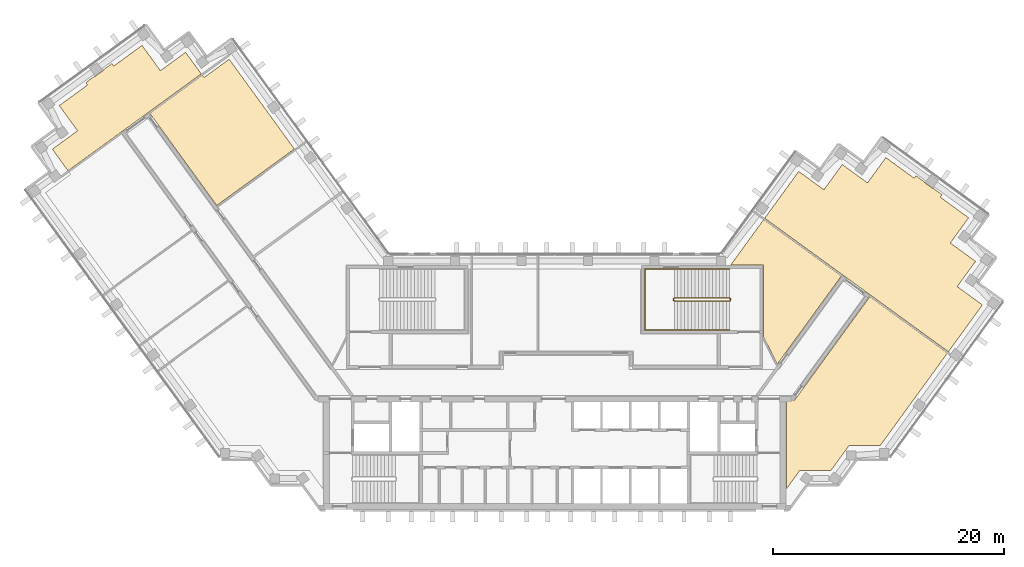
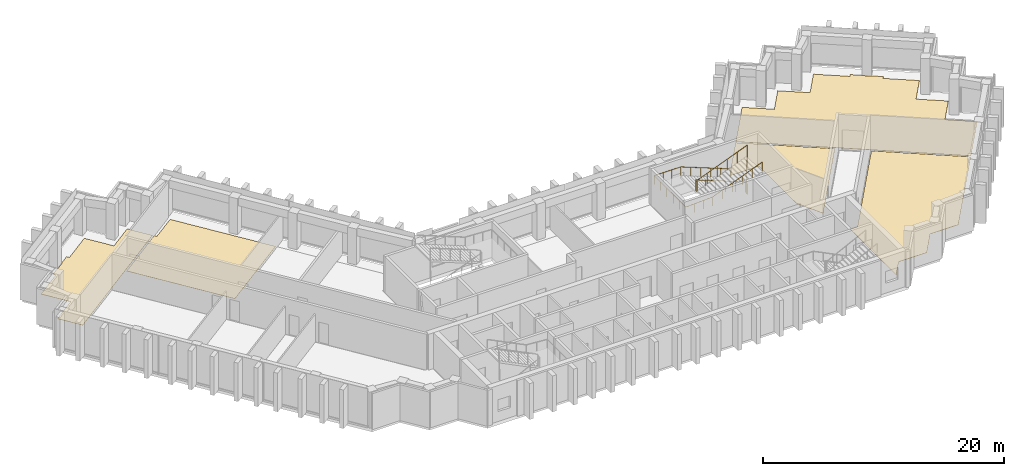
# One storey, part 9 of 9: 5 coverings, 2 railings.
"""IFC4 building model written with IfcOpenShell, lengths in metres."""

from ifc_helpers import new_model, si_unit, direction, frame, origin, origin_2d, place, context, subcontext, project, spatial, polyline, circle, outline, extrude, material, layer, layer_set, type_object, element, save


model = new_model("IFC4")

# Units and contexts
model_context = context("Model", 3, precision=1e-05, world=origin(), true_north=direction((0.0, 1.0)))
body_context = subcontext(model_context, "Body", "Model", "MODEL_VIEW")
ifc_project = project(units=[si_unit("LENGTHUNIT", "METRE"), si_unit("AREAUNIT", "SQUARE_METRE"), si_unit("VOLUMEUNIT", "CUBIC_METRE"), si_unit("PLANEANGLEUNIT", "RADIAN"), si_unit("MASSUNIT", "GRAM", prefix="KILO")], contexts=[model_context])

# Site, building, storey
site_placement = place(None, origin())
site = spatial("IfcSite", under=ifc_project, at=site_placement, CompositionType="ELEMENT")
building_placement = place(site_placement, origin())
building = spatial("IfcBuilding", under=site, at=building_placement, Name="Quipu Civic Tower", CompositionType="ELEMENT")
storey_placement = place(building_placement, frame((0.0, 0.0, 194.0)))
storey = spatial("IfcBuildingStorey", under=building, at=storey_placement, Name="L45", CompositionType="ELEMENT", Elevation=194.0)

# Coverings
ifc_material_1 = material(Name="Carpet tile on raised access floor")
ifc_layer = layer(ifc_material_1, 0.02001953125)
ifc_layer_set = layer_set([ifc_layer], Name="Carpet tile on raised access floor")
covering_type = type_object("IfcCoveringType", Name="Carpet tile floor finish 20", PredefinedType="FLOORING", material=ifc_layer_set)
covering_1_placement = place(storey_placement, origin())
element("IfcCovering", 1, at=covering_1_placement, inside=storey, type_object=covering_type, Name="Carpet tile floor finish 20", PredefinedType="FLOORING", context=body_context, shape_type="SweptSolid", body=[
    extrude(outline(polyline([(15.238037109375, 10.169921875), (18.089111328125, 14.093994140625), (24.81201171875, 9.2109375), (19.27197265625, 1.583984375), (18.070068359375, 3.94189453125), (18.070068359375, 10.1689453125), (15.238037109375, 10.169921875)])), origin(), (0.0, 0.0, 1.0), 0.02001953125),
])
covering_2_placement = place(storey_placement, origin())
element("IfcCovering", 2, at=covering_2_placement, inside=storey, type_object=covering_type, Name="Carpet tile floor finish 20", PredefinedType="FLOORING", context=body_context, shape_type="SweptSolid", body=[
    extrude(outline(polyline([(-35.0400390625, 23.2880859375), (-30.5009765625, 26.583984375), (-30.35302734375, 26.383056640625), (-28.169921875, 27.968994140625), (-22.52490234375, 20.197998046875), (-29.248046875, 15.31396484375), (-35.0400390625, 23.2880859375)])), origin(), (0.0, 0.0, 1.0), 0.02001953125),
])
covering_3_placement = place(storey_placement, origin())
element("IfcCovering", 3, at=covering_3_placement, inside=storey, type_object=covering_type, Name="Carpet tile floor finish 20", PredefinedType="FLOORING", context=body_context, shape_type="SweptSolid", body=[
    extrude(outline(polyline([(20.070068359375, -9.195068359375), (20.070068359375, -1.52001953125), (20.77490234375, -1.51904296875), (27.27197265625, 7.423095703125), (33.9951171875, 2.5390625), (28.181884765625, -5.4609375), (25.48193359375, -5.4619140625), (23.89501953125, -7.64599609375), (21.196044921875, -7.64599609375), (20.070068359375, -9.195068359375)])), origin(), (0.0, 0.0, 1.0), 0.02001953125),
])
covering_4_placement = place(storey_placement, origin())
element("IfcCovering", 4, at=covering_4_placement, inside=storey, type_object=covering_type, Name="Carpet tile floor finish 20", PredefinedType="FLOORING", context=body_context, shape_type="SweptSolid", body=[
    extrude(outline(polyline([(18.172119140625, 14.20703125), (21.116943359375, 18.260986328125), (23.301025390625, 16.675048828125), (24.887939453125, 18.85791015625), (27.073974609375, 17.27197265625), (28.658935546875, 19.455078125), (31.116943359375, 17.6708984375), (31.27099609375, 17.8798828125), (32.032958984375, 17.325927734375), (32.032958984375, 17.324951171875), (32.031005859375, 17.321044921875), (32.030029296875, 17.31591796875), (32.029052734375, 17.31103515625), (32.028076171875, 17.305908203125), (32.028076171875, 17.302001953125), (32.029052734375, 17.297119140625), (32.030029296875, 17.2919921875), (32.031005859375, 17.287109375), (32.032958984375, 17.282958984375), (32.035888671875, 17.278076171875), (32.0380859375, 17.27392578125), (32.041015625, 17.27099609375), (32.044921875, 17.26708984375), (32.049072265625, 17.263916015625), (32.696044921875, 16.7939453125), (32.699951171875, 16.791015625), (32.7041015625, 16.7890625), (32.708984375, 16.787109375), (32.714111328125, 16.785888671875), (32.718994140625, 16.784912109375), (32.722900390625, 16.783935546875), (32.72802734375, 16.783935546875), (32.73291015625, 16.784912109375), (32.738037109375, 16.785888671875), (32.742919921875, 16.787109375), (32.7470703125, 16.7890625), (32.751953125, 16.7919921875), (32.756103515625, 16.7939453125), (32.759033203125, 16.798095703125), (32.760009765625, 16.798095703125), (33.52197265625, 16.2451171875), (33.3701171875, 16.032958984375), (35.826904296875, 14.248046875), (34.240966796875, 12.06396484375), (36.425048828125, 10.47607421875), (34.839111328125, 8.291015625), (37.02197265625, 6.7060546875), (34.077880859375, 2.652099609375), (18.172119140625, 14.20703125)])), origin(), (0.0, 0.0, 1.0), 0.02001953125),
])
covering_5_placement = place(storey_placement, origin())
element("IfcCovering", 5, at=covering_5_placement, inside=storey, type_object=covering_type, Name="Carpet tile floor finish 20", PredefinedType="FLOORING", context=body_context, shape_type="SweptSolid", body=[
    extrude(outline(polyline([(-43.47802734375, 20.18505859375), (-41.2939453125, 21.77294921875), (-42.881103515625, 23.95703125), (-40.424072265625, 25.740966796875), (-40.574951171875, 25.952880859375), (-39.81298828125, 26.507080078125), (-39.80908203125, 26.5029296875), (-39.804931640625, 26.5009765625), (-39.801025390625, 26.498046875), (-39.7958984375, 26.49609375), (-39.7919921875, 26.4951171875), (-39.787109375, 26.493896484375), (-39.781982421875, 26.492919921875), (-39.777099609375, 26.492919921875), (-39.77197265625, 26.493896484375), (-39.76806640625, 26.4951171875), (-39.762939453125, 26.49609375), (-39.758056640625, 26.498046875), (-39.75390625, 26.5), (-39.75, 26.5029296875), (-39.10302734375, 26.972900390625), (-39.09912109375, 26.97607421875), (-39.094970703125, 26.97998046875), (-39.092041015625, 26.98291015625), (-39.089111328125, 26.987060546875), (-39.0869140625, 26.991943359375), (-39.0849609375, 26.99609375), (-39.083984375, 27.0009765625), (-39.0830078125, 27.006103515625), (-39.08203125, 27.010986328125), (-39.08203125, 27.014892578125), (-39.08203125, 27.02001953125), (-39.0830078125, 27.02490234375), (-39.0849609375, 27.030029296875), (-39.0869140625, 27.033935546875), (-38.324951171875, 27.587890625), (-38.169921875, 27.37890625), (-35.712890625, 29.1640625), (-34.126953125, 26.97998046875), (-31.94189453125, 28.56591796875), (-30.583984375, 26.697021484375), (-42.12109375, 18.31591796875), (-43.47802734375, 20.18505859375)])), origin(), (0.0, 0.0, 1.0), 0.02001953125),
])

# Railings
ifc_material_2 = material(Name="Stainless steel", Category="steel")
railing_type_1 = type_object("IfcRailingType", Name="Stair guard 1100", PredefinedType="GUARDRAIL", material=ifc_material_2)
railing_1_placement = place(storey_placement, frame((15.14990234375, 7.300048828125, 0.11767578125)))
element("IfcRailing", 6, at=railing_1_placement, inside=storey, type_object=railing_type_1, Name="Stair 4 guard", PredefinedType="GUARDRAIL", context=body_context, shape_type="SweptSolid", body=[
    extrude(circle(Radius=0.02392578125, at=origin_2d()), frame((0.0, 0.0, 1.076171875), z_axis=(-0.930970042603, 0.0, 0.365095576219), x_axis=(0.0, -1.0, 0.0)), (0.0, 0.0, 1.0), 5.15576171875),
    extrude(circle(Radius=0.02392578125, at=origin_2d()), frame((-4.7998046875, 0.0, 2.95849609375), z_axis=(-0.707106781187, -0.707106781187, 0.0), x_axis=(0.707106781187, -0.707106781187, 0.0)), (0.0, 0.0, 1.0), 0.07080078125),
    extrude(circle(Radius=0.02392578125, at=origin_2d()), frame((-4.849853515625, -0.050048828125, 2.95849609375), z_axis=(0.0, -1.0, 0.0), x_axis=(1.0, 0.0, 0.0)), (0.0, 0.0, 1.0), 0.14990234375),
    extrude(circle(Radius=0.02392578125, at=origin_2d()), frame((-4.849853515625, -0.199951171875, 2.95849609375), z_axis=(0.364463019033, -0.364463019033, 0.856932561824), x_axis=(0.707106781187, 0.707106781187, 0.0)), (0.0, 0.0, 1.0), 0.13720703125),
    extrude(circle(Radius=0.02392578125, at=origin_2d()), frame((-4.7998046875, -0.25, 3.076171875), z_axis=(0.930970042603, 0.0, 0.365095576219), x_axis=(0.0, 1.0, 0.0)), (0.0, 0.0, 1.0), 5.15576171875),
    extrude(circle(Radius=0.02392578125, at=origin_2d()), frame((0.0, -0.25, 4.95849609375), z_axis=(0.012495627992, 0.049921557685, -0.998674970829), x_axis=(-0.970072785993, 0.242814311512, 0.0)), (0.0, 0.0, 1.0), 4.00537109375),
    extrude(circle(Radius=0.02392578125, at=origin_2d()), frame((0.050048828125, -0.050048828125, 0.95849609375), z_axis=(0.0, -1.0, 0.0), x_axis=(1.0, 0.0, 0.0)), (0.0, 0.0, 1.0), 0.14990234375),
    extrude(circle(Radius=0.02099609375, at=origin_2d()), origin(), (0.0, 0.0, 1.0), 1.052001953125),
    extrude(circle(Radius=0.02099609375, at=origin_2d()), frame((-0.9599609375, 0.0, 0.37646484375)), (0.0, 0.0, 1.0), 1.052001953125),
    extrude(circle(Radius=0.02099609375, at=origin_2d()), frame((-1.919921875, 0.0, 0.7529296875)), (0.0, 0.0, 1.0), 1.052001953125),
    extrude(circle(Radius=0.02099609375, at=origin_2d()), frame((-2.8798828125, 0.0, 1.12939453125)), (0.0, 0.0, 1.0), 1.052001953125),
    extrude(circle(Radius=0.02099609375, at=origin_2d()), frame((-3.83984375, 0.0, 1.505859375)), (0.0, 0.0, 1.0), 1.052001953125),
    extrude(circle(Radius=0.02099609375, at=origin_2d()), frame((-4.7998046875, 0.0, 1.88232421875)), (0.0, 0.0, 1.0), 1.052001953125),
    extrude(circle(Radius=0.02099609375, at=origin_2d()), frame((-4.849853515625, -0.050048828125, 1.88232421875)), (0.0, 0.0, 1.0), 1.052001953125),
    extrude(circle(Radius=0.02099609375, at=origin_2d()), frame((-4.849853515625, -0.199951171875, 1.88232421875)), (0.0, 0.0, 1.0), 1.052001953125),
    extrude(circle(Radius=0.02099609375, at=origin_2d()), frame((-4.7998046875, -0.25, 2.0)), (0.0, 0.0, 1.0), 1.052001953125),
    extrude(circle(Radius=0.02099609375, at=origin_2d()), frame((-3.83984375, -0.25, 2.37646484375)), (0.0, 0.0, 1.0), 1.052001953125),
    extrude(circle(Radius=0.02099609375, at=origin_2d()), frame((-2.8798828125, -0.25, 2.7529296875)), (0.0, 0.0, 1.0), 1.052001953125),
    extrude(circle(Radius=0.02099609375, at=origin_2d()), frame((-1.919921875, -0.25, 3.12939453125)), (0.0, 0.0, 1.0), 1.052001953125),
    extrude(circle(Radius=0.02099609375, at=origin_2d()), frame((-0.9599609375, -0.25, 3.505859375)), (0.0, 0.0, 1.0), 1.052001953125),
    extrude(circle(Radius=0.02099609375, at=origin_2d()), frame((0.0, -0.25, 3.88232421875)), (0.0, 0.0, 1.0), 1.052001953125),
    extrude(circle(Radius=0.02099609375, at=origin_2d()), frame((0.012451171875, -0.199951171875, 2.88232421875)), (0.0, 0.0, 1.0), 1.052001953125),
    extrude(circle(Radius=0.02099609375, at=origin_2d()), frame((0.02490234375, -0.14990234375, 1.88232421875)), (0.0, 0.0, 1.0), 1.052001953125),
    extrude(circle(Radius=0.02099609375, at=origin_2d()), frame((0.03759765625, -0.10009765625, 0.88232421875)), (0.0, 0.0, 1.0), 1.052001953125),
    extrude(circle(Radius=0.02099609375, at=origin_2d()), frame((0.050048828125, -0.050048828125, -0.11767578125)), (0.0, 0.0, 1.0), 1.052001953125),
    extrude(circle(Radius=0.02099609375, at=origin_2d()), frame((0.050048828125, -0.199951171875, -0.11767578125)), (0.0, 0.0, 1.0), 1.052001953125),
])
ifc_material_3 = material(Name="Stainless steel", Category="steel")
railing_type_2 = type_object("IfcRailingType", Name="Stair handrail", PredefinedType="HANDRAIL", material=ifc_material_3)
railing_2_placement = place(storey_placement, frame((15.14990234375, 9.800048828125, 0.11767578125)))
element("IfcRailing", 7, at=railing_2_placement, inside=storey, type_object=railing_type_2, Name="Stair 4 handrail", PredefinedType="HANDRAIL", context=body_context, shape_type="SweptSolid", body=[
    extrude(circle(Radius=0.02392578125, at=origin_2d()), frame((0.0, 0.0, 0.8759765625), z_axis=(-0.930970042603, 0.0, 0.365095576219), x_axis=(0.0, -1.0, 0.0)), (0.0, 0.0, 1.0), 5.15576171875),
    extrude(circle(Radius=0.02392578125, at=origin_2d()), frame((-4.7998046875, 0.0, 2.75830078125), z_axis=(-1.0, 0.0, 0.0), x_axis=(0.0, -1.0, 0.0)), (0.0, 0.0, 1.0), 2.550048828125),
    extrude(circle(Radius=0.02392578125, at=origin_2d()), frame((-7.349853515625, 0.0, 2.75830078125), z_axis=(0.0, -1.0, 0.0), x_axis=(1.0, 0.0, 0.0)), (0.0, 0.0, 1.0), 5.25),
    extrude(circle(Radius=0.02392578125, at=origin_2d()), frame((-7.349853515625, -5.25, 2.75830078125), z_axis=(0.998936948642, 0.0, 0.04609742549), x_axis=(0.0, 1.0, 0.0)), (0.0, 0.0, 1.0), 2.552734375),
    extrude(circle(Radius=0.02392578125, at=origin_2d()), frame((-4.7998046875, -5.25, 2.8759765625), z_axis=(0.930970042603, 0.0, 0.365095576219), x_axis=(0.0, 1.0, 0.0)), (0.0, 0.0, 1.0), 5.15576171875),
    extrude(circle(Radius=0.02099609375, at=origin_2d()), origin(), (0.0, 0.0, 1.0), 0.851806640625),
    extrude(circle(Radius=0.02099609375, at=origin_2d()), frame((-0.9599609375, 0.0, 0.37646484375)), (0.0, 0.0, 1.0), 0.851806640625),
    extrude(circle(Radius=0.02099609375, at=origin_2d()), frame((-1.919921875, 0.0, 0.7529296875)), (0.0, 0.0, 1.0), 0.851806640625),
    extrude(circle(Radius=0.02099609375, at=origin_2d()), frame((-2.8798828125, 0.0, 1.12939453125)), (0.0, 0.0, 1.0), 0.851806640625),
    extrude(circle(Radius=0.02099609375, at=origin_2d()), frame((-3.83984375, 0.0, 1.505859375)), (0.0, 0.0, 1.0), 0.851806640625),
    extrude(circle(Radius=0.02099609375, at=origin_2d()), frame((-4.7998046875, 0.0, 1.88232421875)), (0.0, 0.0, 1.0), 0.851806640625),
    extrude(circle(Radius=0.02099609375, at=origin_2d()), frame((-5.64990234375, 0.0, 1.88232421875)), (0.0, 0.0, 1.0), 0.851806640625),
    extrude(circle(Radius=0.02099609375, at=origin_2d()), frame((-6.499755859375, 0.0, 1.88232421875)), (0.0, 0.0, 1.0), 0.851806640625),
    extrude(circle(Radius=0.02099609375, at=origin_2d()), frame((-7.349853515625, 0.0, 1.88232421875)), (0.0, 0.0, 1.0), 0.851806640625),
    extrude(circle(Radius=0.02099609375, at=origin_2d()), frame((-7.349853515625, -1.050048828125, 1.88232421875)), (0.0, 0.0, 1.0), 0.851806640625),
    extrude(circle(Radius=0.02099609375, at=origin_2d()), frame((-7.349853515625, -2.10009765625, 1.88232421875)), (0.0, 0.0, 1.0), 0.851806640625),
    extrude(circle(Radius=0.02099609375, at=origin_2d()), frame((-7.349853515625, -3.14990234375, 1.88232421875)), (0.0, 0.0, 1.0), 0.851806640625),
    extrude(circle(Radius=0.02099609375, at=origin_2d()), frame((-7.349853515625, -4.199951171875, 1.88232421875)), (0.0, 0.0, 1.0), 0.851806640625),
    extrude(circle(Radius=0.02099609375, at=origin_2d()), frame((-7.349853515625, -5.25, 1.88232421875)), (0.0, 0.0, 1.0), 0.851806640625),
    extrude(circle(Radius=0.02099609375, at=origin_2d()), frame((-6.499755859375, -5.25, 1.921630859375)), (0.0, 0.0, 1.0), 0.851806640625),
    extrude(circle(Radius=0.02099609375, at=origin_2d()), frame((-5.64990234375, -5.25, 1.960693359375)), (0.0, 0.0, 1.0), 0.851806640625),
    extrude(circle(Radius=0.02099609375, at=origin_2d()), frame((-4.7998046875, -5.25, 2.0)), (0.0, 0.0, 1.0), 0.851806640625),
    extrude(circle(Radius=0.02099609375, at=origin_2d()), frame((-3.83984375, -5.25, 2.37646484375)), (0.0, 0.0, 1.0), 0.851806640625),
    extrude(circle(Radius=0.02099609375, at=origin_2d()), frame((-2.8798828125, -5.25, 2.7529296875)), (0.0, 0.0, 1.0), 0.851806640625),
    extrude(circle(Radius=0.02099609375, at=origin_2d()), frame((-1.919921875, -5.25, 3.12939453125)), (0.0, 0.0, 1.0), 0.851806640625),
    extrude(circle(Radius=0.02099609375, at=origin_2d()), frame((-0.9599609375, -5.25, 3.505859375)), (0.0, 0.0, 1.0), 0.851806640625),
    extrude(circle(Radius=0.02099609375, at=origin_2d()), frame((0.0, -5.25, 3.88232421875)), (0.0, 0.0, 1.0), 0.851806640625),
])

save(model, "model.ifc")
